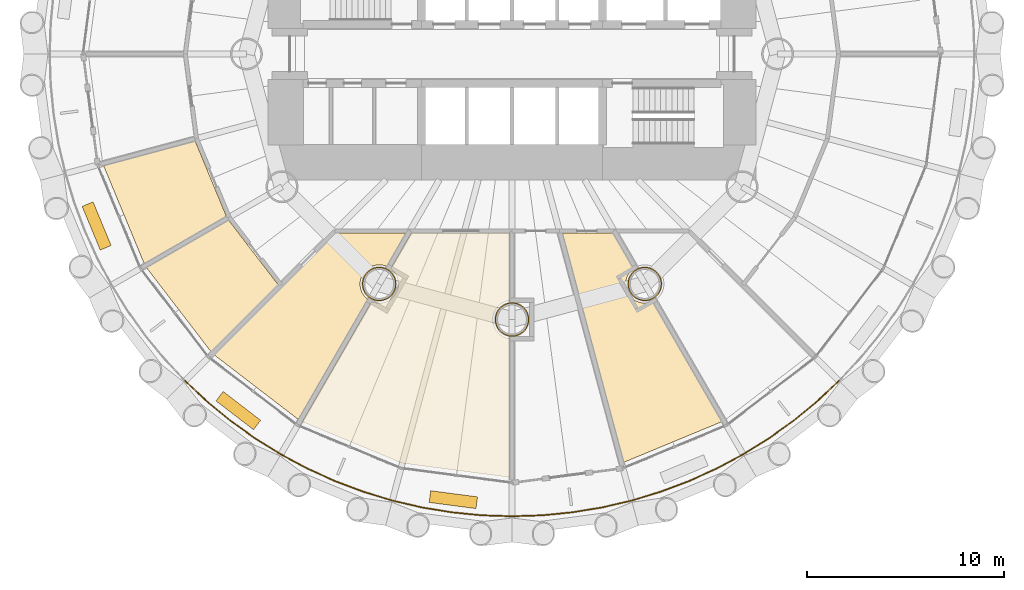
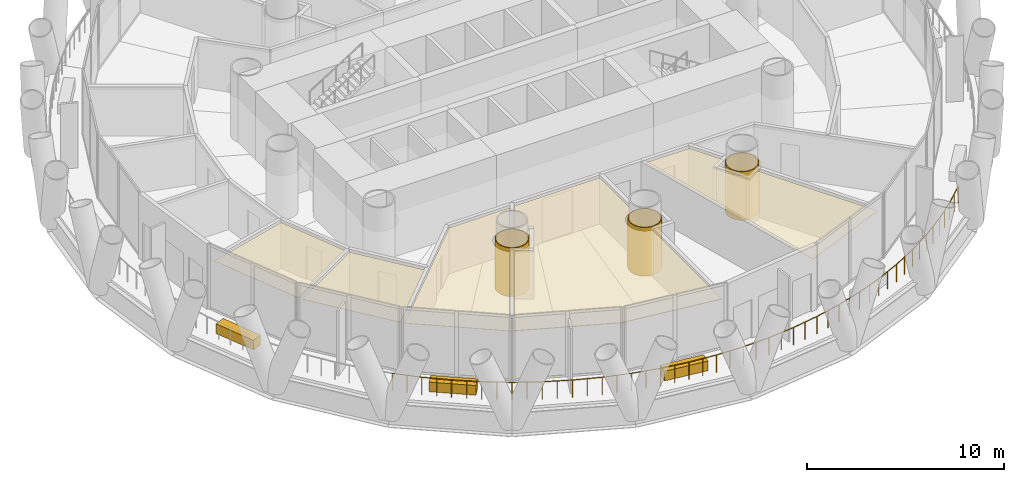
# One storey, part 13 of 16: 11 coverings, 1 railing.
"""IFC4 building model written with IfcOpenShell, lengths in metres."""

from ifc_helpers import new_model, si_unit, direction, frame, origin, origin_2d, place, context, subcontext, project, spatial, polyline, rectangle, circle, outline, extrude, material, layer, layer_set, type_object, element, save


model = new_model("IFC4")

# Units and contexts
model_context = context("Model", 3, precision=1e-05, world=origin(), true_north=direction((0.0, 1.0)))
body_context = subcontext(model_context, "Body", "Model", "MODEL_VIEW")
ifc_project = project(units=[si_unit("LENGTHUNIT", "METRE"), si_unit("AREAUNIT", "SQUARE_METRE"), si_unit("VOLUMEUNIT", "CUBIC_METRE"), si_unit("PLANEANGLEUNIT", "RADIAN"), si_unit("MASSUNIT", "GRAM", prefix="KILO")], contexts=[model_context])

# Site, building, storey
site_placement = place(None, origin())
site = spatial("IfcSite", under=ifc_project, at=site_placement, CompositionType="ELEMENT")
building_placement = place(site_placement, origin())
building = spatial("IfcBuilding", under=site, at=building_placement, Name="Qaws Media Tower", CompositionType="ELEMENT")
storey_placement = place(building_placement, frame((0.0, 0.0, 42.800048828125)))
storey = spatial("IfcBuildingStorey", under=building, at=storey_placement, Name="L08", CompositionType="ELEMENT", Elevation=42.800048828125)

# Covering
ifc_material_1 = material(Name="40 perforated acoustic panels with mineral wool backing, suspended", Category="mineral fibre")
ifc_layer_1 = layer(ifc_material_1, 0.0400390625)
ifc_layer_set_1 = layer_set([ifc_layer_1], Name="Acoustic panel ceiling 40")
covering_type_1 = type_object("IfcCoveringType", Name="Acoustic panel ceiling 40", PredefinedType="CEILING", material=ifc_layer_set_1)
covering_1_placement = place(storey_placement, frame((0.0, 0.0, 2.849853515625)))
element("IfcCovering", 1, at=covering_1_placement, inside=storey, type_object=covering_type_1, Name="CL3 ceiling L08-11 Audio dubbing theatre", PredefinedType="CEILING", context=body_context, shape_type="SweptSolid", body=[
    extrude(outline(polyline([(54.42626953125, 29.198486328125), (49.337158203125, 31.306396484375), (52.864501953125, 37.416259765625), (52.877685546875, 37.40966796875), (52.998291015625, 37.368896484375), (53.123046875, 37.343994140625), (53.25, 37.335693359375), (53.376953125, 37.343994140625), (53.501708984375, 37.368896484375), (53.622314453125, 37.40966796875), (53.736572265625, 37.466064453125), (53.84228515625, 37.53662109375), (53.93798828125, 37.62060546875), (54.02197265625, 37.71630859375), (54.092529296875, 37.822265625), (54.14892578125, 37.936279296875), (54.189697265625, 38.056884765625), (54.214599609375, 38.181640625), (54.222900390625, 38.30859375), (54.214599609375, 38.435791015625), (54.189697265625, 38.560546875), (54.14892578125, 38.680908203125), (54.092529296875, 38.795166015625), (54.02197265625, 38.90087890625), (53.93798828125, 38.99658203125), (53.84228515625, 39.08056640625), (53.830078125, 39.088623046875), (54.868896484375, 40.887451171875), (59.887451171875, 40.887451171875), (59.887451171875, 37.465576171875), (59.873046875, 37.464599609375), (59.748291015625, 37.439697265625), (59.627685546875, 37.39892578125), (59.513427734375, 37.342529296875), (59.40771484375, 37.27197265625), (59.31201171875, 37.18798828125), (59.22802734375, 37.09228515625), (59.157470703125, 36.986572265625), (59.10107421875, 36.872314453125), (59.060302734375, 36.751708984375), (59.035400390625, 36.626953125), (59.027099609375, 36.5), (59.035400390625, 36.373046875), (59.060302734375, 36.248291015625), (59.10107421875, 36.127685546875), (59.157470703125, 36.013427734375), (59.22802734375, 35.90771484375), (59.31201171875, 35.81201171875), (59.40771484375, 35.72802734375), (59.513427734375, 35.657470703125), (59.627685546875, 35.60107421875), (59.748291015625, 35.560302734375), (59.873046875, 35.535400390625), (59.887451171875, 35.534423828125), (59.887451171875, 28.4794921875), (54.42626953125, 29.198486328125)])), origin(), (0.0, 0.0, 1.0), 0.0400390625),
])

# Railing
ifc_material_2 = material(Name="Stainless steel and glass guard", Category="steel")
railing_type = type_object("IfcRailingType", Name="Balcony guard 1100", PredefinedType="GUARDRAIL", material=ifc_material_2)
railing_placement = place(storey_placement, frame((43.383056640625, 33.383056640625, 0.0)))
element("IfcRailing", 2, at=railing_placement, inside=storey, type_object=railing_type, Name="GR1 balcony guard L08-3", PredefinedType="GUARDRAIL", context=body_context, shape_type="SweptSolid", body=[
    extrude(circle(Radius=0.02392578125, at=origin_2d()), frame((0.0, 0.0, 1.076171875), z_axis=(0.729829246613, -0.683629483557, 0.0), x_axis=(0.683629483557, 0.729829246613, 0.0)), (0.0, 0.0, 1.0), 1.537841796875),
    extrude(circle(Radius=0.02392578125, at=origin_2d()), frame((1.122314453125, -1.05126953125, 1.076171875), z_axis=(0.773001502536, -0.634404190621, 0.0), x_axis=(0.634404190621, 0.773001502536, 0.0)), (0.0, 0.0, 1.0), 1.537841796875),
    extrude(circle(Radius=0.02392578125, at=origin_2d()), frame((2.31103515625, -2.02685546875, 1.076171875), z_axis=(0.812842183178, -0.582483978532, 0.0), x_axis=(0.582483978532, 0.812842183178, 0.0)), (0.0, 0.0, 1.0), 1.537841796875),
    extrude(circle(Radius=0.02392578125, at=origin_2d()), frame((3.56103515625, -2.922607421875, 1.076171875), z_axis=(0.849217982545, -0.528042439698, 0.0), x_axis=(0.528042439698, 0.849217982545, 0.0)), (0.0, 0.0, 1.0), 1.537841796875),
    extrude(circle(Radius=0.02392578125, at=origin_2d()), frame((4.866943359375, -3.734619140625, 1.076171875), z_axis=(0.881935082539, -0.471370883899, 0.0), x_axis=(0.471370883899, 0.881935082539, 0.0)), (0.0, 0.0, 1.0), 1.537841796875),
    extrude(circle(Radius=0.02392578125, at=origin_2d()), frame((6.22314453125, -4.45947265625, 1.076171875), z_axis=(0.91082806466, -0.412785945288, 0.0), x_axis=(0.412785945288, 0.91082806466, 0.0)), (0.0, 0.0, 1.0), 1.537841796875),
    extrude(circle(Radius=0.02392578125, at=origin_2d()), frame((7.623779296875, -5.09423828125, 1.076171875), z_axis=(0.93591101666, -0.352236524079, 0.0), x_axis=(0.352236524079, 0.93591101666, 0.0)), (0.0, 0.0, 1.0), 1.5380859375),
    extrude(circle(Radius=0.02392578125, at=origin_2d()), frame((9.063232421875, -5.635986328125, 1.076171875), z_axis=(0.956952263936, -0.290245352327, 0.0), x_axis=(0.290245352327, 0.956952263936, 0.0)), (0.0, 0.0, 1.0), 1.53759765625),
    extrude(circle(Radius=0.02392578125, at=origin_2d()), frame((10.53466796875, -6.082275390625, 1.076171875), z_axis=(0.973885693077, -0.227038888344, 0.0), x_axis=(0.227038888344, 0.973885693077, 0.0)), (0.0, 0.0, 1.0), 1.53759765625),
    extrude(circle(Radius=0.02392578125, at=origin_2d()), frame((12.0322265625, -6.431396484375, 1.076171875), z_axis=(0.986620376373, -0.163034453184, 0.0), x_axis=(0.163034453184, 0.986620376373, 0.0)), (0.0, 0.0, 1.0), 1.537841796875),
    extrude(circle(Radius=0.02392578125, at=origin_2d()), frame((13.549560546875, -6.68212890625, 1.076171875), z_axis=(0.995191578065, -0.097947552028, 0.0), x_axis=(0.097947552028, 0.995191578065, 0.0)), (0.0, 0.0, 1.0), 1.537841796875),
    extrude(circle(Radius=0.02392578125, at=origin_2d()), frame((15.080078125, -6.832763671875, 1.076171875), z_axis=(0.999464986997, -0.032706876461, 0.0), x_axis=(0.032706876461, 0.999464986997, 0.0)), (0.0, 0.0, 1.0), 1.53759765625),
    extrude(circle(Radius=0.02392578125, at=origin_2d()), frame((16.616943359375, -6.883056640625, 1.076171875), z_axis=(0.999464986997, 0.032706876461, 0.0), x_axis=(-0.032706876461, 0.999464986997, 0.0)), (0.0, 0.0, 1.0), 1.53759765625),
    extrude(circle(Radius=0.02392578125, at=origin_2d()), frame((18.15380859375, -6.832763671875, 1.076171875), z_axis=(0.995191578065, 0.097947552028, 0.0), x_axis=(-0.097947552028, 0.995191578065, 0.0)), (0.0, 0.0, 1.0), 1.537841796875),
    extrude(circle(Radius=0.02392578125, at=origin_2d()), frame((19.684326171875, -6.68212890625, 1.076171875), z_axis=(0.986620376373, 0.163034453184, 0.0), x_axis=(-0.163034453184, 0.986620376373, 0.0)), (0.0, 0.0, 1.0), 1.537841796875),
    extrude(circle(Radius=0.02392578125, at=origin_2d()), frame((21.20166015625, -6.431396484375, 1.076171875), z_axis=(0.973885693077, 0.227038888344, 0.0), x_axis=(-0.227038888344, 0.973885693077, 0.0)), (0.0, 0.0, 1.0), 1.53759765625),
    extrude(circle(Radius=0.02392578125, at=origin_2d()), frame((22.69921875, -6.082275390625, 1.076171875), z_axis=(0.956952263936, 0.290245352327, 0.0), x_axis=(-0.290245352327, 0.956952263936, 0.0)), (0.0, 0.0, 1.0), 1.53759765625),
    extrude(circle(Radius=0.02392578125, at=origin_2d()), frame((24.170654296875, -5.635986328125, 1.076171875), z_axis=(0.93591101666, 0.352236524079, 0.0), x_axis=(-0.352236524079, 0.93591101666, 0.0)), (0.0, 0.0, 1.0), 1.5380859375),
    extrude(circle(Radius=0.02392578125, at=origin_2d()), frame((25.610107421875, -5.09423828125, 1.076171875), z_axis=(0.91082806466, 0.412785945288, 0.0), x_axis=(-0.412785945288, 0.91082806466, 0.0)), (0.0, 0.0, 1.0), 1.537841796875),
    extrude(circle(Radius=0.02392578125, at=origin_2d()), frame((27.0107421875, -4.45947265625, 1.076171875), z_axis=(0.881935082539, 0.471370883899, 0.0), x_axis=(-0.471370883899, 0.881935082539, 0.0)), (0.0, 0.0, 1.0), 1.537841796875),
    extrude(circle(Radius=0.02392578125, at=origin_2d()), frame((28.366943359375, -3.734619140625, 1.076171875), z_axis=(0.849217982545, 0.528042439698, 0.0), x_axis=(-0.528042439698, 0.849217982545, 0.0)), (0.0, 0.0, 1.0), 1.537841796875),
    extrude(circle(Radius=0.02392578125, at=origin_2d()), frame((29.6728515625, -2.922607421875, 1.076171875), z_axis=(0.812842183178, 0.582483978532, 0.0), x_axis=(-0.582483978532, 0.812842183178, 0.0)), (0.0, 0.0, 1.0), 1.537841796875),
    extrude(circle(Radius=0.02392578125, at=origin_2d()), frame((30.9228515625, -2.02685546875, 1.076171875), z_axis=(0.773001502536, 0.634404190621, 0.0), x_axis=(-0.634404190621, 0.773001502536, 0.0)), (0.0, 0.0, 1.0), 1.537841796875),
    extrude(circle(Radius=0.02392578125, at=origin_2d()), frame((32.111572265625, -1.05126953125, 1.076171875), z_axis=(0.729829246613, 0.683629483557, 0.0), x_axis=(-0.683629483557, 0.729829246613, 0.0)), (0.0, 0.0, 1.0), 1.537841796875),
    extrude(circle(Radius=0.02099609375, at=origin_2d()), origin(), (0.0, 0.0, 1.0), 1.052001953125),
    extrude(circle(Radius=0.02099609375, at=origin_2d()), frame((0.56103515625, -0.525634765625, 0.0)), (0.0, 0.0, 1.0), 1.052001953125),
    extrude(circle(Radius=0.02099609375, at=origin_2d()), frame((1.122314453125, -1.05126953125, 0.0)), (0.0, 0.0, 1.0), 1.052001953125),
    extrude(circle(Radius=0.02099609375, at=origin_2d()), frame((1.716796875, -1.5390625, 0.0)), (0.0, 0.0, 1.0), 1.052001953125),
    extrude(circle(Radius=0.02099609375, at=origin_2d()), frame((2.31103515625, -2.02685546875, 0.0)), (0.0, 0.0, 1.0), 1.052001953125),
    extrude(circle(Radius=0.02099609375, at=origin_2d()), frame((2.93603515625, -2.474609375, 0.0)), (0.0, 0.0, 1.0), 1.052001953125),
    extrude(circle(Radius=0.02099609375, at=origin_2d()), frame((3.56103515625, -2.922607421875, 0.0)), (0.0, 0.0, 1.0), 1.052001953125),
    extrude(circle(Radius=0.02099609375, at=origin_2d()), frame((4.2138671875, -3.32861328125, 0.0)), (0.0, 0.0, 1.0), 1.052001953125),
    extrude(circle(Radius=0.02099609375, at=origin_2d()), frame((4.866943359375, -3.734619140625, 0.0)), (0.0, 0.0, 1.0), 1.052001953125),
    extrude(circle(Radius=0.02099609375, at=origin_2d()), frame((5.544921875, -4.09716796875, 0.0)), (0.0, 0.0, 1.0), 1.052001953125),
    extrude(circle(Radius=0.02099609375, at=origin_2d()), frame((6.22314453125, -4.45947265625, 0.0)), (0.0, 0.0, 1.0), 1.052001953125),
    extrude(circle(Radius=0.02099609375, at=origin_2d()), frame((6.92333984375, -4.77685546875, 0.0)), (0.0, 0.0, 1.0), 1.052001953125),
    extrude(circle(Radius=0.02099609375, at=origin_2d()), frame((7.623779296875, -5.09423828125, 0.0)), (0.0, 0.0, 1.0), 1.052001953125),
    extrude(circle(Radius=0.02099609375, at=origin_2d()), frame((8.343505859375, -5.365234375, 0.0)), (0.0, 0.0, 1.0), 1.052001953125),
    extrude(circle(Radius=0.02099609375, at=origin_2d()), frame((9.063232421875, -5.635986328125, 0.0)), (0.0, 0.0, 1.0), 1.052001953125),
    extrude(circle(Radius=0.02099609375, at=origin_2d()), frame((9.798828125, -5.859130859375, 0.0)), (0.0, 0.0, 1.0), 1.052001953125),
    extrude(circle(Radius=0.02099609375, at=origin_2d()), frame((10.53466796875, -6.082275390625, 0.0)), (0.0, 0.0, 1.0), 1.052001953125),
    extrude(circle(Radius=0.02099609375, at=origin_2d()), frame((11.283447265625, -6.2568359375, 0.0)), (0.0, 0.0, 1.0), 1.052001953125),
    extrude(circle(Radius=0.02099609375, at=origin_2d()), frame((12.0322265625, -6.431396484375, 0.0)), (0.0, 0.0, 1.0), 1.052001953125),
    extrude(circle(Radius=0.02099609375, at=origin_2d()), frame((12.791015625, -6.556640625, 0.0)), (0.0, 0.0, 1.0), 1.052001953125),
    extrude(circle(Radius=0.02099609375, at=origin_2d()), frame((13.549560546875, -6.68212890625, 0.0)), (0.0, 0.0, 1.0), 1.052001953125),
    extrude(circle(Radius=0.02099609375, at=origin_2d()), frame((14.31494140625, -6.75732421875, 0.0)), (0.0, 0.0, 1.0), 1.052001953125),
    extrude(circle(Radius=0.02099609375, at=origin_2d()), frame((15.080078125, -6.832763671875, 0.0)), (0.0, 0.0, 1.0), 1.052001953125),
    extrude(circle(Radius=0.02099609375, at=origin_2d()), frame((15.8486328125, -6.85791015625, 0.0)), (0.0, 0.0, 1.0), 1.052001953125),
    extrude(circle(Radius=0.02099609375, at=origin_2d()), frame((16.616943359375, -6.883056640625, 0.0)), (0.0, 0.0, 1.0), 1.052001953125),
    extrude(circle(Radius=0.02099609375, at=origin_2d()), frame((17.38525390625, -6.85791015625, 0.0)), (0.0, 0.0, 1.0), 1.052001953125),
    extrude(circle(Radius=0.02099609375, at=origin_2d()), frame((18.15380859375, -6.832763671875, 0.0)), (0.0, 0.0, 1.0), 1.052001953125),
    extrude(circle(Radius=0.02099609375, at=origin_2d()), frame((18.9189453125, -6.75732421875, 0.0)), (0.0, 0.0, 1.0), 1.052001953125),
    extrude(circle(Radius=0.02099609375, at=origin_2d()), frame((19.684326171875, -6.68212890625, 0.0)), (0.0, 0.0, 1.0), 1.052001953125),
    extrude(circle(Radius=0.02099609375, at=origin_2d()), frame((20.44287109375, -6.556640625, 0.0)), (0.0, 0.0, 1.0), 1.052001953125),
    extrude(circle(Radius=0.02099609375, at=origin_2d()), frame((21.20166015625, -6.431396484375, 0.0)), (0.0, 0.0, 1.0), 1.052001953125),
    extrude(circle(Radius=0.02099609375, at=origin_2d()), frame((21.950439453125, -6.2568359375, 0.0)), (0.0, 0.0, 1.0), 1.052001953125),
    extrude(circle(Radius=0.02099609375, at=origin_2d()), frame((22.69921875, -6.082275390625, 0.0)), (0.0, 0.0, 1.0), 1.052001953125),
    extrude(circle(Radius=0.02099609375, at=origin_2d()), frame((23.43505859375, -5.859130859375, 0.0)), (0.0, 0.0, 1.0), 1.052001953125),
    extrude(circle(Radius=0.02099609375, at=origin_2d()), frame((24.170654296875, -5.635986328125, 0.0)), (0.0, 0.0, 1.0), 1.052001953125),
    extrude(circle(Radius=0.02099609375, at=origin_2d()), frame((24.890380859375, -5.365234375, 0.0)), (0.0, 0.0, 1.0), 1.052001953125),
    extrude(circle(Radius=0.02099609375, at=origin_2d()), frame((25.610107421875, -5.09423828125, 0.0)), (0.0, 0.0, 1.0), 1.052001953125),
    extrude(circle(Radius=0.02099609375, at=origin_2d()), frame((26.310546875, -4.77685546875, 0.0)), (0.0, 0.0, 1.0), 1.052001953125),
    extrude(circle(Radius=0.02099609375, at=origin_2d()), frame((27.0107421875, -4.45947265625, 0.0)), (0.0, 0.0, 1.0), 1.052001953125),
    extrude(circle(Radius=0.02099609375, at=origin_2d()), frame((27.68896484375, -4.09716796875, 0.0)), (0.0, 0.0, 1.0), 1.052001953125),
    extrude(circle(Radius=0.02099609375, at=origin_2d()), frame((28.366943359375, -3.734619140625, 0.0)), (0.0, 0.0, 1.0), 1.052001953125),
    extrude(circle(Radius=0.02099609375, at=origin_2d()), frame((29.02001953125, -3.32861328125, 0.0)), (0.0, 0.0, 1.0), 1.052001953125),
    extrude(circle(Radius=0.02099609375, at=origin_2d()), frame((29.6728515625, -2.922607421875, 0.0)), (0.0, 0.0, 1.0), 1.052001953125),
    extrude(circle(Radius=0.02099609375, at=origin_2d()), frame((30.2978515625, -2.474609375, 0.0)), (0.0, 0.0, 1.0), 1.052001953125),
    extrude(circle(Radius=0.02099609375, at=origin_2d()), frame((30.9228515625, -2.02685546875, 0.0)), (0.0, 0.0, 1.0), 1.052001953125),
    extrude(circle(Radius=0.02099609375, at=origin_2d()), frame((31.51708984375, -1.5390625, 0.0)), (0.0, 0.0, 1.0), 1.052001953125),
    extrude(circle(Radius=0.02099609375, at=origin_2d()), frame((32.111572265625, -1.05126953125, 0.0)), (0.0, 0.0, 1.0), 1.052001953125),
    extrude(circle(Radius=0.02099609375, at=origin_2d()), frame((32.6728515625, -0.525634765625, 0.0)), (0.0, 0.0, 1.0), 1.052001953125),
    extrude(circle(Radius=0.02099609375, at=origin_2d()), frame((33.23388671875, 0.0, 0.0)), (0.0, 0.0, 1.0), 1.052001953125),
])

# Coverings
ifc_material_3 = material(Name="Two layers 15 fire-rated gypsum board on steel framing", Category="steel")
ifc_layer_2 = layer(ifc_material_3, 0.050048828125)
ifc_layer_set_2 = layer_set([ifc_layer_2], Name="Column fire casing")
covering_type_2 = type_object("IfcCoveringType", Name="Column fire casing", PredefinedType="CLADDING", material=ifc_layer_set_2)
covering_2_placement = place(storey_placement, origin())
element("IfcCovering", 3, at=covering_2_placement, inside=storey, type_object=covering_type_2, Name="CC1 column casing L08", PredefinedType="CLADDING", context=body_context, shape_type="SweptSolid", body=[
    extrude(outline(polyline([(54.117919921875, 38.30859375), (54.110595703125, 38.1953125), (54.08837890625, 38.083984375), (54.052001953125, 37.9765625), (54.001708984375, 37.874755859375), (53.938720703125, 37.7802734375), (53.86376953125, 37.69482421875), (53.7783203125, 37.6201171875), (53.68408203125, 37.556884765625), (53.582275390625, 37.506591796875), (53.474609375, 37.47021484375), (53.36328125, 37.447998046875), (53.25, 37.440673828125), (53.13671875, 37.447998046875), (53.025390625, 37.47021484375), (52.917724609375, 37.506591796875), (52.81591796875, 37.556884765625), (52.7216796875, 37.6201171875), (52.63623046875, 37.69482421875), (52.561279296875, 37.7802734375), (52.498291015625, 37.874755859375), (52.447998046875, 37.9765625), (52.41162109375, 38.083984375), (52.389404296875, 38.1953125), (52.382080078125, 38.30859375), (52.389404296875, 38.422119140625), (52.41162109375, 38.533203125), (52.447998046875, 38.640869140625), (52.498291015625, 38.74267578125), (52.561279296875, 38.837158203125), (52.63623046875, 38.92236328125), (52.7216796875, 38.997314453125), (52.81591796875, 39.060302734375), (52.917724609375, 39.110595703125), (53.025390625, 39.147216796875), (53.13671875, 39.169189453125), (53.25, 39.1767578125), (53.36328125, 39.169189453125), (53.474609375, 39.147216796875), (53.582275390625, 39.110595703125), (53.68408203125, 39.060302734375), (53.7783203125, 38.997314453125), (53.86376953125, 38.92236328125), (53.938720703125, 38.837158203125), (54.001708984375, 38.74267578125), (54.052001953125, 38.640869140625), (54.08837890625, 38.533203125), (54.110595703125, 38.422119140625), (54.117919921875, 38.30859375)]), holes=[polyline([(54.06591796875, 38.30859375), (54.05908203125, 38.2021484375), (54.0380859375, 38.097412109375), (54.00390625, 37.996337890625), (53.956787109375, 37.900634765625), (53.8974609375, 37.81201171875), (53.826904296875, 37.731689453125), (53.74658203125, 37.661376953125), (53.657958984375, 37.60205078125), (53.562255859375, 37.5546875), (53.461181640625, 37.5205078125), (53.3564453125, 37.49951171875), (53.25, 37.49267578125), (53.1435546875, 37.49951171875), (53.038818359375, 37.5205078125), (52.937744140625, 37.5546875), (52.842041015625, 37.60205078125), (52.75341796875, 37.661376953125), (52.673095703125, 37.731689453125), (52.6025390625, 37.81201171875), (52.543212890625, 37.900634765625), (52.49609375, 37.996337890625), (52.4619140625, 38.097412109375), (52.44091796875, 38.2021484375), (52.43408203125, 38.30859375), (52.44091796875, 38.415283203125), (52.4619140625, 38.52001953125), (52.49609375, 38.620849609375), (52.543212890625, 38.716796875), (52.6025390625, 38.805419921875), (52.673095703125, 38.8857421875), (52.75341796875, 38.9560546875), (52.842041015625, 39.015380859375), (52.937744140625, 39.0625), (53.038818359375, 39.096923828125), (53.1435546875, 39.11767578125), (53.25, 39.124755859375), (53.3564453125, 39.11767578125), (53.461181640625, 39.096923828125), (53.562255859375, 39.0625), (53.657958984375, 39.015380859375), (53.74658203125, 38.9560546875), (53.826904296875, 38.8857421875), (53.8974609375, 38.805419921875), (53.956787109375, 38.716796875), (54.00390625, 38.620849609375), (54.0380859375, 38.52001953125), (54.05908203125, 38.415283203125), (54.06591796875, 38.30859375)])]), origin(), (0.0, 0.0, 1.0), 3.02001953125),
])
covering_3_placement = place(storey_placement, origin())
element("IfcCovering", 4, at=covering_3_placement, inside=storey, type_object=covering_type_2, Name="CC1 column casing L08", PredefinedType="CLADDING", context=body_context, shape_type="SweptSolid", body=[
    extrude(outline(polyline([(60.867919921875, 36.5), (60.860595703125, 36.38671875), (60.83837890625, 36.275390625), (60.802001953125, 36.167724609375), (60.751708984375, 36.06591796875), (60.688720703125, 35.9716796875), (60.61376953125, 35.88623046875), (60.5283203125, 35.811279296875), (60.43408203125, 35.748291015625), (60.332275390625, 35.697998046875), (60.224609375, 35.66162109375), (60.11328125, 35.639404296875), (60.0, 35.632080078125), (59.88671875, 35.639404296875), (59.775390625, 35.66162109375), (59.667724609375, 35.697998046875), (59.56591796875, 35.748291015625), (59.4716796875, 35.811279296875), (59.38623046875, 35.88623046875), (59.311279296875, 35.9716796875), (59.248291015625, 36.06591796875), (59.197998046875, 36.167724609375), (59.16162109375, 36.275390625), (59.139404296875, 36.38671875), (59.132080078125, 36.5), (59.139404296875, 36.61328125), (59.16162109375, 36.724609375), (59.197998046875, 36.832275390625), (59.248291015625, 36.93408203125), (59.311279296875, 37.0283203125), (59.38623046875, 37.11376953125), (59.4716796875, 37.188720703125), (59.56591796875, 37.251708984375), (59.667724609375, 37.302001953125), (59.775390625, 37.33837890625), (59.88671875, 37.360595703125), (60.0, 37.367919921875), (60.11328125, 37.360595703125), (60.224609375, 37.33837890625), (60.332275390625, 37.302001953125), (60.43408203125, 37.251708984375), (60.5283203125, 37.188720703125), (60.61376953125, 37.11376953125), (60.688720703125, 37.0283203125), (60.751708984375, 36.93408203125), (60.802001953125, 36.832275390625), (60.83837890625, 36.724609375), (60.860595703125, 36.61328125), (60.867919921875, 36.5)]), holes=[polyline([(60.81591796875, 36.5), (60.80908203125, 36.3935546875), (60.7880859375, 36.288818359375), (60.75390625, 36.187744140625), (60.706787109375, 36.092041015625), (60.6474609375, 36.00341796875), (60.576904296875, 35.923095703125), (60.49658203125, 35.8525390625), (60.407958984375, 35.793212890625), (60.312255859375, 35.74609375), (60.211181640625, 35.7119140625), (60.1064453125, 35.69091796875), (60.0, 35.68408203125), (59.8935546875, 35.69091796875), (59.788818359375, 35.7119140625), (59.687744140625, 35.74609375), (59.592041015625, 35.793212890625), (59.50341796875, 35.8525390625), (59.423095703125, 35.923095703125), (59.3525390625, 36.00341796875), (59.293212890625, 36.092041015625), (59.24609375, 36.187744140625), (59.2119140625, 36.288818359375), (59.19091796875, 36.3935546875), (59.18408203125, 36.5), (59.19091796875, 36.6064453125), (59.2119140625, 36.711181640625), (59.24609375, 36.812255859375), (59.293212890625, 36.907958984375), (59.3525390625, 36.99658203125), (59.423095703125, 37.076904296875), (59.50341796875, 37.1474609375), (59.592041015625, 37.206787109375), (59.687744140625, 37.25390625), (59.788818359375, 37.2880859375), (59.8935546875, 37.30908203125), (60.0, 37.31591796875), (60.1064453125, 37.30908203125), (60.211181640625, 37.2880859375), (60.312255859375, 37.25390625), (60.407958984375, 37.206787109375), (60.49658203125, 37.1474609375), (60.576904296875, 37.076904296875), (60.6474609375, 36.99658203125), (60.706787109375, 36.907958984375), (60.75390625, 36.812255859375), (60.7880859375, 36.711181640625), (60.80908203125, 36.6064453125), (60.81591796875, 36.5)])]), origin(), (0.0, 0.0, 1.0), 3.02001953125),
])
covering_4_placement = place(storey_placement, origin())
element("IfcCovering", 5, at=covering_4_placement, inside=storey, type_object=covering_type_2, Name="CC1 column casing L08", PredefinedType="CLADDING", context=body_context, shape_type="SweptSolid", body=[
    extrude(outline(polyline([(67.617919921875, 38.30859375), (67.610595703125, 38.1953125), (67.58837890625, 38.083984375), (67.552001953125, 37.9765625), (67.501708984375, 37.874755859375), (67.438720703125, 37.7802734375), (67.36376953125, 37.69482421875), (67.2783203125, 37.6201171875), (67.18408203125, 37.556884765625), (67.082275390625, 37.506591796875), (66.974609375, 37.47021484375), (66.86328125, 37.447998046875), (66.75, 37.440673828125), (66.63671875, 37.447998046875), (66.525390625, 37.47021484375), (66.417724609375, 37.506591796875), (66.31591796875, 37.556884765625), (66.2216796875, 37.6201171875), (66.13623046875, 37.69482421875), (66.061279296875, 37.7802734375), (65.998291015625, 37.874755859375), (65.947998046875, 37.9765625), (65.91162109375, 38.083984375), (65.889404296875, 38.1953125), (65.882080078125, 38.30859375), (65.889404296875, 38.422119140625), (65.91162109375, 38.533203125), (65.947998046875, 38.640869140625), (65.998291015625, 38.74267578125), (66.061279296875, 38.837158203125), (66.13623046875, 38.92236328125), (66.2216796875, 38.997314453125), (66.31591796875, 39.060302734375), (66.417724609375, 39.110595703125), (66.525390625, 39.147216796875), (66.63671875, 39.169189453125), (66.75, 39.1767578125), (66.86328125, 39.169189453125), (66.974609375, 39.147216796875), (67.082275390625, 39.110595703125), (67.18408203125, 39.060302734375), (67.2783203125, 38.997314453125), (67.36376953125, 38.92236328125), (67.438720703125, 38.837158203125), (67.501708984375, 38.74267578125), (67.552001953125, 38.640869140625), (67.58837890625, 38.533203125), (67.610595703125, 38.422119140625), (67.617919921875, 38.30859375)]), holes=[polyline([(67.56591796875, 38.30859375), (67.55908203125, 38.2021484375), (67.5380859375, 38.097412109375), (67.50390625, 37.996337890625), (67.456787109375, 37.900634765625), (67.3974609375, 37.81201171875), (67.326904296875, 37.731689453125), (67.24658203125, 37.661376953125), (67.157958984375, 37.60205078125), (67.062255859375, 37.5546875), (66.961181640625, 37.5205078125), (66.8564453125, 37.49951171875), (66.75, 37.49267578125), (66.6435546875, 37.49951171875), (66.538818359375, 37.5205078125), (66.437744140625, 37.5546875), (66.342041015625, 37.60205078125), (66.25341796875, 37.661376953125), (66.173095703125, 37.731689453125), (66.1025390625, 37.81201171875), (66.043212890625, 37.900634765625), (65.99609375, 37.996337890625), (65.9619140625, 38.097412109375), (65.94091796875, 38.2021484375), (65.93408203125, 38.30859375), (65.94091796875, 38.415283203125), (65.9619140625, 38.52001953125), (65.99609375, 38.620849609375), (66.043212890625, 38.716796875), (66.1025390625, 38.805419921875), (66.173095703125, 38.8857421875), (66.25341796875, 38.9560546875), (66.342041015625, 39.015380859375), (66.437744140625, 39.0625), (66.538818359375, 39.096923828125), (66.6435546875, 39.11767578125), (66.75, 39.124755859375), (66.8564453125, 39.11767578125), (66.961181640625, 39.096923828125), (67.062255859375, 39.0625), (67.157958984375, 39.015380859375), (67.24658203125, 38.9560546875), (67.326904296875, 38.8857421875), (67.3974609375, 38.805419921875), (67.456787109375, 38.716796875), (67.50390625, 38.620849609375), (67.5380859375, 38.52001953125), (67.55908203125, 38.415283203125), (67.56591796875, 38.30859375)])]), origin(), (0.0, 0.0, 1.0), 3.02001953125),
])
ifc_material_4 = material(Name="600 x 600 mineral fibre tiles in exposed grid, suspended", Category="mineral fibre")
ifc_layer_3 = layer(ifc_material_4, 0.02001953125)
ifc_layer_set_3 = layer_set([ifc_layer_3], Name="Mineral fibre tile ceiling 20")
covering_type_3 = type_object("IfcCoveringType", Name="Mineral fibre tile ceiling 20", PredefinedType="CEILING", material=ifc_layer_set_3)
covering_5_placement = place(storey_placement, frame((0.0, 0.0, 2.849853515625)))
element("IfcCovering", 6, at=covering_5_placement, inside=storey, type_object=covering_type_3, Name="CL1 ceiling L08-08 Edit room", PredefinedType="CEILING", context=body_context, shape_type="SweptSolid", body=[
    extrude(outline(polyline([(39.241943359375, 44.3212890625), (43.8994140625, 45.5693359375), (45.482421875, 41.748046875), (41.306396484375, 39.337158203125), (39.241943359375, 44.3212890625)])), origin(), (0.0, 0.0, 1.0), 0.02001953125),
])
covering_6_placement = place(storey_placement, frame((0.0, 0.0, 2.849853515625)))
element("IfcCovering", 7, at=covering_6_placement, inside=storey, type_object=covering_type_3, Name="CL1 ceiling L08-09 Edit room", PredefinedType="CEILING", context=body_context, shape_type="SweptSolid", body=[
    extrude(outline(polyline([(41.4189453125, 39.142333984375), (45.5947265625, 41.55322265625), (48.11279296875, 38.271728515625), (44.703125, 34.8623046875), (41.4189453125, 39.142333984375)])), origin(), (0.0, 0.0, 1.0), 0.02001953125),
])
covering_7_placement = place(storey_placement, frame((0.0, 0.0, 2.849853515625)))
element("IfcCovering", 8, at=covering_7_placement, inside=storey, type_object=covering_type_3, Name="CL1 ceiling L08-10 Edit room", PredefinedType="CEILING", context=body_context, shape_type="SweptSolid", body=[
    extrude(outline(polyline([(44.8623046875, 34.703125), (51.046630859375, 40.887451171875), (54.60888671875, 40.887451171875), (53.635498046875, 39.201171875), (53.622314453125, 39.20751953125), (53.501708984375, 39.24853515625), (53.376953125, 39.273193359375), (53.25, 39.28173828125), (53.123046875, 39.273193359375), (52.998291015625, 39.24853515625), (52.877685546875, 39.20751953125), (52.763427734375, 39.1513671875), (52.65771484375, 39.08056640625), (52.56201171875, 38.99658203125), (52.47802734375, 38.90087890625), (52.407470703125, 38.795166015625), (52.35107421875, 38.680908203125), (52.310302734375, 38.560546875), (52.285400390625, 38.435791015625), (52.277099609375, 38.30859375), (52.285400390625, 38.181640625), (52.310302734375, 38.056884765625), (52.35107421875, 37.936279296875), (52.407470703125, 37.822265625), (52.47802734375, 37.71630859375), (52.56201171875, 37.62060546875), (52.65771484375, 37.53662109375), (52.669921875, 37.528564453125), (49.142333984375, 31.4189453125), (44.8623046875, 34.703125)])), origin(), (0.0, 0.0, 1.0), 0.02001953125),
])
covering_8_placement = place(storey_placement, frame((0.0, 0.0, 2.849853515625)))
element("IfcCovering", 9, at=covering_8_placement, inside=storey, type_object=covering_type_3, Name="CL1 ceiling L08-13 Gents toilets", PredefinedType="CEILING", context=body_context, shape_type="SweptSolid", body=[
    extrude(outline(polyline([(65.6787109375, 29.241943359375), (62.55810546875, 40.887451171875), (65.131103515625, 40.887451171875), (66.169921875, 39.088623046875), (66.15771484375, 39.08056640625), (66.06201171875, 38.99658203125), (65.97802734375, 38.90087890625), (65.907470703125, 38.795166015625), (65.85107421875, 38.680908203125), (65.810302734375, 38.560546875), (65.785400390625, 38.435791015625), (65.777099609375, 38.30859375), (65.785400390625, 38.181640625), (65.810302734375, 38.056884765625), (65.85107421875, 37.936279296875), (65.907470703125, 37.822265625), (65.97802734375, 37.71630859375), (66.06201171875, 37.62060546875), (66.15771484375, 37.53662109375), (66.263427734375, 37.466064453125), (66.377685546875, 37.40966796875), (66.498291015625, 37.368896484375), (66.623046875, 37.343994140625), (66.75, 37.335693359375), (66.876953125, 37.343994140625), (67.001708984375, 37.368896484375), (67.122314453125, 37.40966796875), (67.135498046875, 37.416259765625), (70.662841796875, 31.306396484375), (65.6787109375, 29.241943359375)])), origin(), (0.0, 0.0, 1.0), 0.02001953125),
])
ifc_material_5 = material(Name="Precast concrete planter with trailing planting", Category="concrete")
ifc_layer_4 = layer(ifc_material_5, 0.60009765625)
ifc_layer_set_4 = layer_set([ifc_layer_4], Name="Planter 2400x600")
covering_type_4 = type_object("IfcCoveringType", Name="Planter 2400x600", PredefinedType="USERDEFINED", material=ifc_layer_set_4)
for number, where, z_axis, x_axis, name in (
    (10, (38.889404296875, 41.255615234375, 0.0), (0.0, 0.0, 1.0), (0.382683432365, -0.923879532511, 0.0), "PL1 balcony planter L08-07"),
    (11, (46.08984375, 31.871826171875, 0.0), (0.0, 0.0, 1.0), (0.793353340291, -0.608761429009, 0.0), "PL1 balcony planter L08-08"),
    (12, (57.017578125, 27.345458984375, 0.0), (0.0, 0.0, 1.0), (0.991444861374, -0.13052619222, 0.0), "PL1 balcony planter L08-09"),
):
    element("IfcCovering", number, at=place(storey_placement, frame(where, z_axis=z_axis, x_axis=x_axis)), inside=storey, type_object=covering_type_4, Name=name, ObjectType="PLANTER", PredefinedType="USERDEFINED", context=body_context, shape_type="SweptSolid", body=[
        extrude(rectangle(XDim=2.39990234375, YDim=0.60009765625, at=origin_2d()), origin(), (0.0, 0.0, 1.0), 0.60009765625),
    ])

save(model, "model.ifc")
